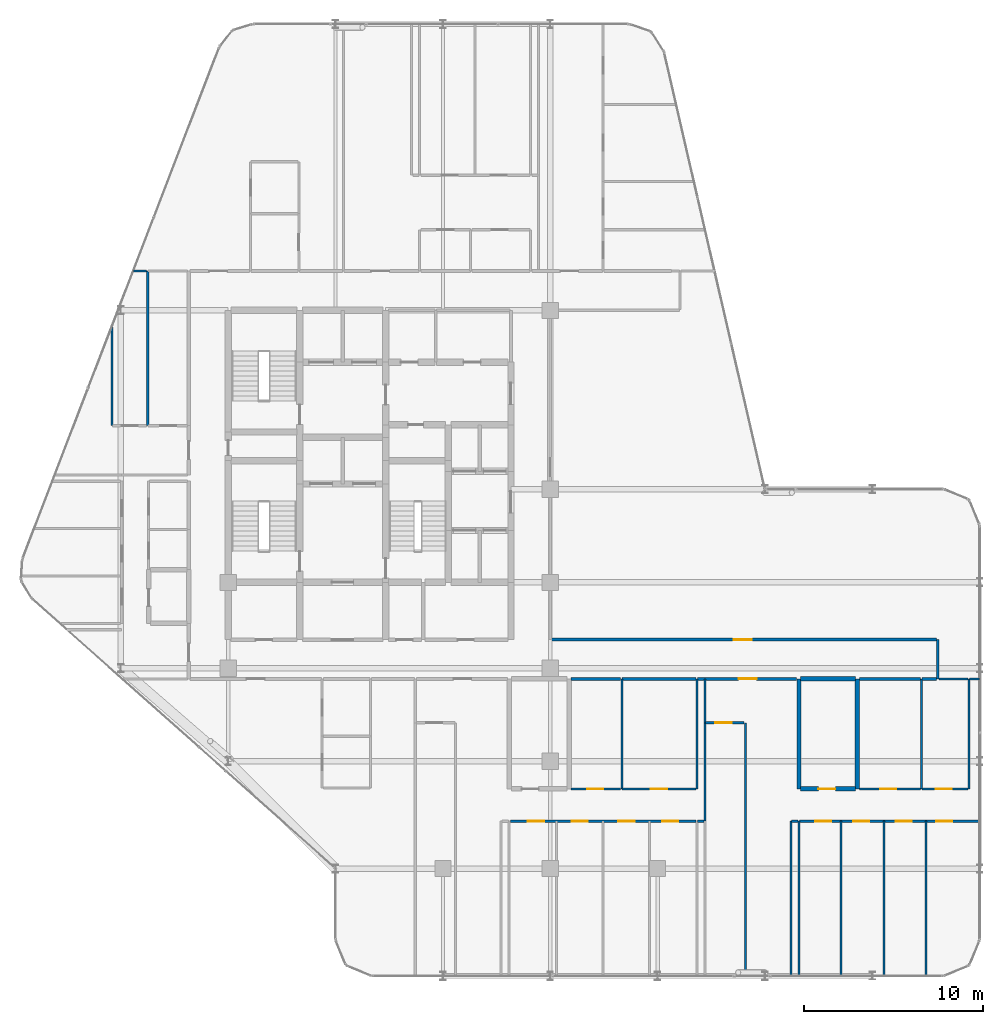
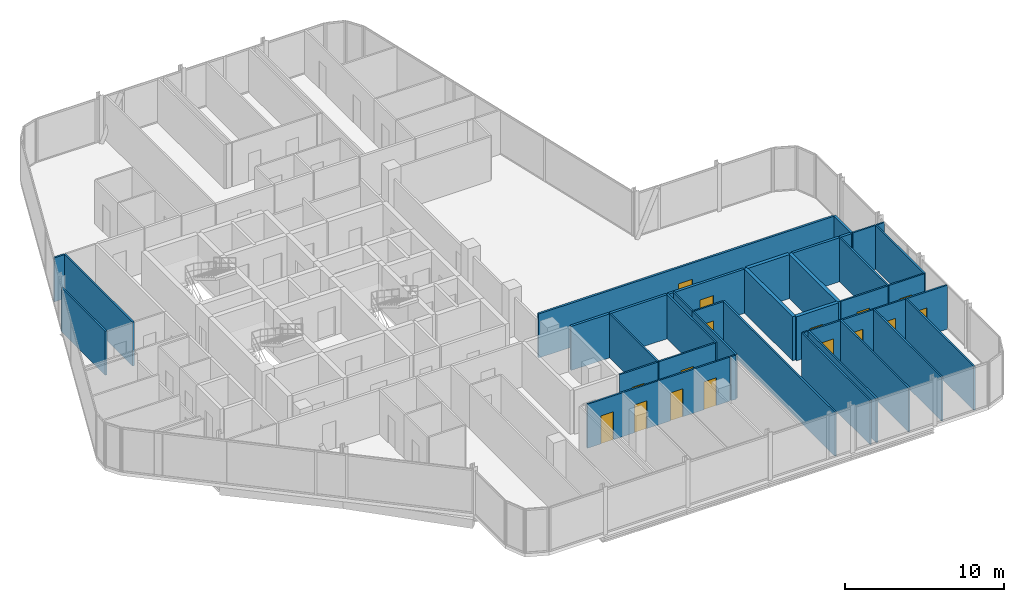
# One storey, part 26 of 29: 37 walls, 16 doors, 16 openings.
"""IFC4 building model written with IfcOpenShell, lengths in metres."""

import ifcopenshell
import ifcopenshell.guid

model = None  # the IFC model being written
_history = None  # IfcOwnerHistory: only IFC2X3 demands one
_inside = {}  # id of a spatial element -> (the spatial element, [elements in it])
_under = {}  # id of a project, library or spatial element -> (it, [spatial elements below it])
_declared = {}  # id of a project -> (the project, [libraries it declares])
_typed = {}  # id of a type object -> (the type object, [elements of that type])
_made_of = {}  # id of a material, layer set ... -> (it, [elements and type objects made of it])


def new_model(schema):
    """Start an empty IFC model of exactly this schema.

    Asked for "IFC4X3", IfcOpenShell would pick the latest addendum, in which some entities
    have other attributes; the version numbers below select the first issue.
    IFC2X3 requires an IfcOwnerHistory on every rooted entity: one is made here for all.
    """
    global model, _history
    if schema == "IFC4X3":
        model = ifcopenshell.file(schema_version=(4, 3, 0, 0))
    else:
        model = ifcopenshell.file(schema=schema)
    _inside.clear()
    _under.clear()
    _declared.clear()
    _typed.clear()
    _made_of.clear()
    _history = None
    if model.schema == "IFC2X3":
        org = make("IfcOrganization", Name="unknown")
        user = make(
            "IfcPersonAndOrganization",
            ThePerson=make("IfcPerson", FamilyName="unknown"),
            TheOrganization=org,
        )
        app = make(
            "IfcApplication",
            ApplicationDeveloper=org,
            Version="unknown",
            ApplicationFullName="unknown",
            ApplicationIdentifier="unknown",
        )
        _history = make(
            "IfcOwnerHistory",
            OwningUser=user,
            OwningApplication=app,
            ChangeAction="ADDED",
            CreationDate=0,
        )
    return model


def make(cls, **values):
    """One entity of the class cls with the attributes given. An attribute that is None is left unset."""
    return model.create_entity(
        cls, **{name: value for name, value in values.items() if value is not None}
    )


def rooted(cls, **values):
    """An entity with a GlobalId (a new one), such as an element, a storey or a relation."""
    return make(cls, GlobalId=ifcopenshell.guid.new(), OwnerHistory=_history, **values)


def si_unit(unit_type, name, prefix=None):
    """IfcSIUnit, for example si_unit("LENGTHUNIT", "METRE", prefix="MILLI")."""
    return make("IfcSIUnit", UnitType=unit_type, Prefix=prefix, Name=name)


def assignment(units):
    """IfcUnitAssignment: the units of a project."""
    return None if units is None else make("IfcUnitAssignment", Units=units)


def point(xyz):
    """IfcCartesianPoint."""
    return None if xyz is None else make("IfcCartesianPoint", Coordinates=xyz)


def direction(xyz):
    """IfcDirection."""
    return None if xyz is None else make("IfcDirection", DirectionRatios=xyz)


def frame(location, z_axis=None, x_axis=None):
    """IfcAxis2Placement3D, a coordinate frame: its origin and axes. An axis left out is left unset."""
    return make(
        "IfcAxis2Placement3D",
        Location=point(location),
        Axis=direction(z_axis),
        RefDirection=direction(x_axis),
    )


def frame_2d(location, x_axis=None):
    """IfcAxis2Placement2D, a coordinate frame in the plane: its origin and x axis."""
    return make(
        "IfcAxis2Placement2D", Location=point(location), RefDirection=direction(x_axis)
    )


def origin():
    """The frame at (0, 0, 0) with its axes left unset."""
    return frame((0.0, 0.0, 0.0))


def place(relative_to, where):
    """IfcLocalPlacement: puts the frame where relative to a parent placement (None: the world)."""
    return make(
        "IfcLocalPlacement", PlacementRelTo=relative_to, RelativePlacement=where
    )


def context(
    kind, dimensions, precision=None, world=None, true_north=None, identifier=None
):
    """IfcGeometricRepresentationContext, for example the 3D "Model" context."""
    return make(
        "IfcGeometricRepresentationContext",
        ContextIdentifier=identifier,
        ContextType=kind,
        CoordinateSpaceDimension=dimensions,
        Precision=precision,
        WorldCoordinateSystem=world,
        TrueNorth=true_north,
    )


def subcontext(parent, identifier, kind, view, scale=None):
    """IfcGeometricRepresentationSubContext, for example "Body" below "Model"."""
    return make(
        "IfcGeometricRepresentationSubContext",
        ContextIdentifier=identifier,
        ContextType=kind,
        ParentContext=parent,
        TargetScale=scale,
        TargetView=view,
    )


def project(units=None, contexts=None):
    """IfcProject with its units and contexts."""
    return rooted(
        "IfcProject",
        Name="project",
        RepresentationContexts=contexts,
        UnitsInContext=assignment(units),
    )


def spatial(cls, under=None, at=None, **own):
    """A site, building, storey or space (cls), placed at a placement, below another one or the project."""
    s = rooted(cls, ObjectPlacement=at, **own)
    if under is not None:
        _under.setdefault(under.id(), (under, []))[1].append(s)
    return s


def profile(cls, at=None, kind="AREA", **sizes):
    """A parametric profile (cls). Its sizes go by their IFC names, for example OverallWidth=200.0."""
    return make(cls, ProfileType=kind, Position=at, **sizes)


def rectangle(**sizes):
    """IfcRectangleProfileDef."""
    return profile("IfcRectangleProfileDef", **sizes)


def extrude(swept, where, along, depth):
    """IfcExtrudedAreaSolid: the profile swept, set in the frame where, extruded along a direction by depth."""
    return make(
        "IfcExtrudedAreaSolid",
        SweptArea=swept,
        Position=where,
        ExtrudedDirection=direction(along),
        Depth=depth,
    )


def shape(context_of_items, identifier, shape_type, items):
    """IfcShapeRepresentation: the items that make up one representation, for example the "Body"."""
    return make(
        "IfcShapeRepresentation",
        ContextOfItems=context_of_items,
        RepresentationIdentifier=identifier,
        RepresentationType=shape_type,
        Items=items,
    )


def material(Name=None, Category=None):
    """IfcMaterial."""
    return make("IfcMaterial", Name=Name, Category=Category)


def layer(
    of_material, thickness, ventilated=None, Name=None, Category=None, Priority=None
):
    """IfcMaterialLayer: one layer of a wall or slab, of a material (None: an air gap)."""
    return make(
        "IfcMaterialLayer",
        Material=of_material,
        LayerThickness=thickness,
        IsVentilated=ventilated,
        Name=Name,
        Category=Category,
        Priority=Priority,
    )


def layer_set(layers, Name=None):
    """IfcMaterialLayerSet."""
    return make("IfcMaterialLayerSet", MaterialLayers=layers, LayerSetName=Name)


def made_of(thing, what):
    """Note that an element or type object is made of a material, layer set ...; save() writes the relation."""
    if what is not None:
        _made_of.setdefault(what.id(), (what, []))[1].append(thing)
    return thing


def type_object(cls, material=None, **own):
    """A type object (cls), such as IfcWallType, which elements share."""
    return made_of(rooted(cls, **own), material)


def element(
    cls,
    number,
    at=None,
    inside=None,
    cuts=None,
    type_object=None,
    material=None,
    context=None,
    identifier="Body",
    shape_type=None,
    held_by="IfcProductDefinitionShape",
    body=None,
    shapes=None,
    **own,
):
    """One element of the class cls, such as IfcWall. Its Tag is "e" and its number.

    at: its placement. inside: the storey or other place that contains it. cuts: it is an
    opening in that element (IfcRelVoidsElement). A single representation is given by context,
    identifier, shape_type and body (its items); several are given by shapes. held_by: the class
    of the entity that holds the representations. save() writes the other relations.
    """
    e = rooted(cls, Tag="e%d" % number, ObjectPlacement=at, **own)
    if body is not None:
        shapes = [shape(context, identifier, shape_type, body)]
    if shapes is not None:
        e.Representation = make(held_by, Representations=shapes)
    if inside is not None:
        _inside.setdefault(inside.id(), (inside, []))[1].append(e)
    if cuts is not None:
        rooted(
            "IfcRelVoidsElement", RelatingBuildingElement=cuts, RelatedOpeningElement=e
        )
    if type_object is not None:
        _typed.setdefault(type_object.id(), (type_object, []))[1].append(e)
    return made_of(e, material)


def fill(opening, filler):
    """IfcRelFillsElement: the door or window that sits in an opening."""
    return rooted(
        "IfcRelFillsElement",
        RelatingOpeningElement=opening,
        RelatedBuildingElement=filler,
    )


def aggregate(whole, parts):
    """IfcRelAggregates: a whole, such as a stair, and the parts it consists of."""
    return rooted("IfcRelAggregates", RelatingObject=whole, RelatedObjects=parts)


def save(model, path):
    """Write the relations noted so far, then the file.

    IfcRelAggregates (storeys below a building ...), IfcRelContainedInSpatialStructure (elements
    in a storey), IfcRelDefinesByType, IfcRelAssociatesMaterial and IfcRelDeclares: one each for
    every whole, place, type object, material and project.
    """
    for whole, parts in _under.values():
        aggregate(whole, parts)
    for where, things in _inside.values():
        rooted(
            "IfcRelContainedInSpatialStructure",
            RelatedElements=things,
            RelatingStructure=where,
        )
    for kind, things in _typed.values():
        rooted("IfcRelDefinesByType", RelatedObjects=things, RelatingType=kind)
    for what, things in _made_of.values():
        rooted("IfcRelAssociatesMaterial", RelatedObjects=things, RelatingMaterial=what)
    for by, libraries in _declared.values():
        rooted("IfcRelDeclares", RelatingContext=by, RelatedDefinitions=libraries)
    model.write(path)


model = new_model("IFC4")

# Units and contexts
model_context = context("Model", 3, precision=1e-05, world=origin(), true_north=direction((0.0, 1.0)))
body_context = subcontext(model_context, "Body", "Model", "MODEL_VIEW")
ifc_project = project(units=[si_unit("LENGTHUNIT", "METRE"), si_unit("AREAUNIT", "SQUARE_METRE"), si_unit("VOLUMEUNIT", "CUBIC_METRE"), si_unit("PLANEANGLEUNIT", "RADIAN"), si_unit("MASSUNIT", "GRAM", prefix="KILO")], contexts=[model_context])

# Site, building, storey
site_placement = place(None, origin())
site = spatial("IfcSite", under=ifc_project, at=site_placement, CompositionType="ELEMENT")
building_placement = place(site_placement, origin())
building = spatial("IfcBuilding", under=site, at=building_placement, Name="Keshet Zoharim Tower", CompositionType="ELEMENT")
storey_placement = place(building_placement, frame((0.0, 0.0, 169.10009765625)))
storey = spatial("IfcBuildingStorey", under=building, at=storey_placement, Name="L41", CompositionType="ELEMENT", Elevation=169.10009765625)

# Wall
ifc_material_1 = material(Name="Gypsum Plasterboard", Category="gypsum")
ifc_layer_1 = layer(ifc_material_1, 0.14990234375)
ifc_layer_set_1 = layer_set([ifc_layer_1], Name="Gypsum Plasterboard")
wall_type_1 = type_object("IfcWallType", Name="WL-CLIN-150", PredefinedType="STANDARD", material=ifc_layer_set_1)
wall_1_placement = place(storey_placement, frame((54.64990234375, 17.31005859375, 0.0), z_axis=(0.0, 0.0, 1.0), x_axis=(0.0, 1.0, 0.0)))
element("IfcWall", 1, at=wall_1_placement, inside=storey, type_object=wall_type_1, Name="L41 Interior Wall 092", PredefinedType="STANDARD", context=body_context, shape_type="SweptSolid", body=[
    extrude(rectangle(XDim=2.18994140625, YDim=0.14990234375, at=frame_2d((1.094970703125, 0.0))), origin(), (0.0, 0.0, 1.0), 3.389892578125),
])

# Wall, opening, door
wall_2_placement = place(storey_placement, frame((33.070068359375, 19.5, 0.0), z_axis=(0.0, 0.0, 1.0), x_axis=(1.0, 0.0, 0.0)))
wall_2 = element("IfcWall", 2, at=wall_2_placement, inside=storey, type_object=wall_type_1, Name="L41 Interior Wall 127", PredefinedType="STANDARD", context=body_context, shape_type="SweptSolid", body=[
    extrude(rectangle(XDim=21.510009765625, YDim=0.14990234375, at=frame_2d((10.7548828125, 0.0))), origin(), (0.0, 0.0, 1.0), 3.389892578125),
])
opening_1_placement = place(wall_2_placement, frame((10.18505859375, 0.0, 0.0)))
opening_1 = element("IfcOpeningElement", 3, at=opening_1_placement, cuts=wall_2, Name="Opening D-F310", PredefinedType="OPENING", context=body_context, shape_type="SweptSolid", body=[
    extrude(rectangle(XDim=1.0, YDim=2.14990234375, at=frame_2d((0.5, 1.074951171875))), frame((0.0, 0.0849609375, 0.0), z_axis=(0.0, -1.0, 0.0), x_axis=(1.0, 0.0, 0.0)), (0.0, 0.0, 1.0), 0.169921875),
])
ifc_material_2 = material(Name="Hardwood Timber", Category="wood")
door_type_1 = type_object("IfcDoorType", Name="DR-FD30-100", OperationType="NOTDEFINED", PredefinedType="DOOR", material=ifc_material_2)
door_1_placement = place(opening_1_placement, origin())
door_1 = element("IfcDoor", 4, at=door_1_placement, inside=storey, type_object=door_type_1, Name="L41 South East Residents Services Suite Door 1", OperationType="SINGLE_SWING_LEFT", OverallHeight=2.14990234375, OverallWidth=1.0, PredefinedType="DOOR", context=body_context, shape_type="SweptSolid", body=[
    extrude(rectangle(XDim=1.0, YDim=2.14990234375, at=frame_2d((0.5, 1.074951171875))), frame((0.0, 0.02490234375, 0.0), z_axis=(0.0, -1.0, 0.0), x_axis=(1.0, 0.0, 0.0)), (0.0, 0.0, 1.0), 0.050048828125),
])
fill(opening_1, door_1)

# Walls
ifc_layer_2 = layer(ifc_material_1, 0.179931640625)
ifc_layer_set_2 = layer_set([ifc_layer_2], Name="Gypsum Plasterboard")
wall_type_2 = type_object("IfcWallType", Name="WL-CORR-180", PredefinedType="STANDARD", material=ifc_layer_set_2)
wall_3_placement = place(storey_placement, frame((34.156005859375, 17.300048828125, 0.0), z_axis=(0.0, 0.0, 1.0), x_axis=(1.0, 0.0, 0.0)))
element("IfcWall", 5, at=wall_3_placement, inside=storey, type_object=wall_type_2, Name="L41 Interior Wall 115", PredefinedType="STANDARD", context=body_context, shape_type="SweptSolid", body=[
    extrude(rectangle(XDim=2.77392578125, YDim=0.179931640625, at=frame_2d((1.386962890625, 0.0))), origin(), (0.0, 0.0, 1.0), 3.389892578125),
])
wall_4_placement = place(storey_placement, frame((37.02001953125, 17.300048828125, 0.0), z_axis=(0.0, 0.0, 1.0), x_axis=(1.0, 0.0, 0.0)))
element("IfcWall", 6, at=wall_4_placement, inside=storey, type_object=wall_type_2, Name="L41 Interior Wall 116", PredefinedType="STANDARD", context=body_context, shape_type="SweptSolid", body=[
    extrude(rectangle(XDim=4.114990234375, YDim=0.179931640625, at=frame_2d((2.0576171875, 0.0))), origin(), (0.0, 0.0, 1.0), 3.389892578125),
])

# Wall, opening, door
wall_5_placement = place(storey_placement, frame((41.22509765625, 17.300048828125, 0.0), z_axis=(0.0, 0.0, 1.0), x_axis=(1.0, 0.0, 0.0)))
wall_5 = element("IfcWall", 7, at=wall_5_placement, inside=storey, type_object=wall_type_2, Name="L41 Interior Wall 117", PredefinedType="STANDARD", context=body_context, shape_type="SweptSolid", body=[
    extrude(rectangle(XDim=5.544921875, YDim=0.179931640625, at=frame_2d((2.7724609375, 0.0))), origin(), (0.0, 0.0, 1.0), 3.389892578125),
])
opening_2_placement = place(wall_5_placement, frame((2.304931640625, 0.0, 0.0)))
opening_2 = element("IfcOpeningElement", 8, at=opening_2_placement, cuts=wall_5, Name="Opening D-F310", PredefinedType="OPENING", context=body_context, shape_type="SweptSolid", body=[
    extrude(rectangle(XDim=1.0, YDim=2.14990234375, at=frame_2d((0.5, 1.074951171875))), frame((0.0, 0.10009765625, 0.0), z_axis=(0.0, -1.0, 0.0), x_axis=(1.0, 0.0, 0.0)), (0.0, 0.0, 1.0), 0.199951171875),
])
door_2_placement = place(opening_2_placement, origin())
door_2 = element("IfcDoor", 9, at=door_2_placement, inside=storey, type_object=door_type_1, Name="Apartment 4103 Entrance Door", OperationType="SINGLE_SWING_RIGHT", OverallHeight=2.14990234375, OverallWidth=1.0, PredefinedType="DOOR", context=body_context, shape_type="SweptSolid", body=[
    extrude(rectangle(XDim=1.0, YDim=2.14990234375, at=frame_2d((0.5, 1.074951171875))), frame((0.0, 0.02490234375, 0.0), z_axis=(0.0, -1.0, 0.0), x_axis=(1.0, 0.0, 0.0)), (0.0, 0.0, 1.0), 0.050048828125),
])
fill(opening_2, door_2)

# Walls
wall_6_placement = place(storey_placement, frame((50.280029296875, 17.300048828125, 0.0), z_axis=(0.0, 0.0, 1.0), x_axis=(1.0, 0.0, 0.0)))
element("IfcWall", 10, at=wall_6_placement, inside=storey, type_object=wall_type_2, Name="L41 Interior Wall 119", PredefinedType="STANDARD", context=body_context, shape_type="SweptSolid", body=[
    extrude(rectangle(XDim=3.40185546875, YDim=0.179931640625, at=frame_2d((1.700927734375, 0.0))), origin(), (0.0, 0.0, 1.0), 3.389892578125),
])
wall_7_placement = place(storey_placement, frame((53.77197265625, 17.300048828125, 0.0), z_axis=(0.0, 0.0, 1.0), x_axis=(1.0, 0.0, 0.0)))
element("IfcWall", 11, at=wall_7_placement, inside=storey, type_object=wall_type_2, Name="L41 Interior Wall 120", PredefinedType="STANDARD", context=body_context, shape_type="SweptSolid", body=[
    extrude(rectangle(XDim=0.80810546875, YDim=0.179931640625, at=frame_2d((0.404052734375, 0.0))), origin(), (0.0, 0.0, 1.0), 3.389892578125),
])
ifc_material_3 = material(Name="Concrete C50/60", Category="concrete")
ifc_layer_3 = layer(ifc_material_3, 0.25)
ifc_layer_set_3 = layer_set([ifc_layer_3], Name="Concrete C50/60")
wall_type_3 = type_object("IfcWallType", Name="WL-MAMAD-250", PredefinedType="STANDARD", material=ifc_layer_set_3)
for number, where, z_axis, x_axis, name in (
    (12, (46.89990234375, 11.14990234375, 0.0), (0.0, 0.0, 1.0), (0.0, 1.0, 0.0), "L41 Interior Wall 086"),
    (13, (50.14990234375, 11.14990234375, 0.0), (0.0, 0.0, 1.0), (0.0, 1.0, 0.0), "L41 Interior Wall 088"),
):
    element("IfcWall", number, at=place(storey_placement, frame(where, z_axis=z_axis, x_axis=x_axis)), inside=storey, type_object=wall_type_3, Name=name, PredefinedType="STANDARD", context=body_context, shape_type="SweptSolid", body=[
        extrude(rectangle(XDim=6.150146484375, YDim=0.25, at=frame_2d((3.0751953125, 0.0))), origin(), (0.0, 0.0, 1.0), 3.389892578125),
    ])

# Wall, opening, door
wall_8_placement = place(storey_placement, frame((46.989990234375, 11.14990234375, 0.0), z_axis=(0.0, 0.0, 1.0), x_axis=(1.0, 0.0, 0.0)))
wall_8 = element("IfcWall", 14, at=wall_8_placement, inside=storey, type_object=wall_type_3, Name="L41 Interior Wall 102", PredefinedType="STANDARD", context=body_context, shape_type="SweptSolid", body=[
    extrude(rectangle(XDim=3.070068359375, YDim=0.25, at=frame_2d((1.53515625, 0.0))), origin(), (0.0, 0.0, 1.0), 3.389892578125),
])
opening_3_placement = place(wall_8_placement, frame((0.989013671875, 0.0, 0.0)))
opening_3 = element("IfcOpeningElement", 15, at=opening_3_placement, cuts=wall_8, Name="Opening D-F695", PredefinedType="OPENING", context=body_context, shape_type="SweptSolid", body=[
    extrude(rectangle(XDim=0.949951171875, YDim=2.14990234375, at=frame_2d((0.47509765625, 1.074951171875))), frame((0.0, 0.135009765625, 0.0), z_axis=(0.0, -1.0, 0.0), x_axis=(1.0, 0.0, 0.0)), (0.0, 0.0, 1.0), 0.27001953125),
])
door_type_2 = type_object("IfcDoorType", Name="DR-FD60-095", OperationType="NOTDEFINED", PredefinedType="DOOR", material=ifc_material_2)
door_3_placement = place(opening_3_placement, origin())
door_3 = element("IfcDoor", 16, at=door_3_placement, inside=storey, type_object=door_type_2, Name="Apartment 4103 Study and Shelter Room Door", OperationType="SINGLE_SWING_LEFT", OverallHeight=2.14990234375, OverallWidth=0.949951171875, PredefinedType="DOOR", context=body_context, shape_type="SweptSolid", body=[
    extrude(rectangle(XDim=0.949951171875, YDim=2.14990234375, at=frame_2d((0.47509765625, 1.074951171875))), frame((0.0, 0.02490234375, 0.0), z_axis=(0.0, -1.0, 0.0), x_axis=(1.0, 0.0, 0.0)), (0.0, 0.0, 1.0), 0.050048828125),
])
fill(opening_3, door_3)

# Walls
wall_9_placement = place(storey_placement, frame((46.989990234375, 17.300048828125, 0.0), z_axis=(0.0, 0.0, 1.0), x_axis=(1.0, 0.0, 0.0)))
element("IfcWall", 17, at=wall_9_placement, inside=storey, type_object=wall_type_3, Name="L41 Interior Wall 118", PredefinedType="STANDARD", context=body_context, shape_type="SweptSolid", body=[
    extrude(rectangle(XDim=3.070068359375, YDim=0.25, at=frame_2d((1.53515625, 0.0))), origin(), (0.0, 0.0, 1.0), 3.389892578125),
])
ifc_layer_4 = layer(ifc_material_1, 0.1201171875)
ifc_layer_set_4 = layer_set([ifc_layer_4], Name="Gypsum Plasterboard")
wall_type_4 = type_object("IfcWallType", Name="WL-PART-120", PredefinedType="PARTITIONING", material=ifc_layer_set_4)
wall_10_placement = place(storey_placement, frame((8.5, 31.449951171875, 0.0), z_axis=(0.0, 0.0, 1.0), x_axis=(0.0, 1.0, 0.0)))
element("IfcWall", 18, at=wall_10_placement, inside=storey, type_object=wall_type_4, Name="L41 Interior Wall 001", PredefinedType="PARTITIONING", context=body_context, shape_type="SweptSolid", body=[
    extrude(rectangle(XDim=5.5400390625, YDim=0.1201171875, at=frame_2d((2.77001953125, 0.0))), origin(), (0.0, 0.0, 1.0), 3.389892578125),
])
wall_11_placement = place(storey_placement, frame((41.199951171875, 11.14990234375, 0.0), z_axis=(0.0, 0.0, 1.0), x_axis=(0.0, 1.0, 0.0)))
element("IfcWall", 19, at=wall_11_placement, inside=storey, type_object=wall_type_4, Name="L41 Interior Wall 079", PredefinedType="PARTITIONING", context=body_context, shape_type="SweptSolid", body=[
    extrude(rectangle(XDim=6.150146484375, YDim=0.1201171875, at=frame_2d((3.0751953125, 0.0))), origin(), (0.0, 0.0, 1.0), 3.389892578125),
])
wall_12_placement = place(storey_placement, frame((41.64990234375, 9.35009765625, 0.0), z_axis=(0.0, 0.0, 1.0), x_axis=(0.0, 1.0, 0.0)))
element("IfcWall", 20, at=wall_12_placement, inside=storey, type_object=wall_type_4, Name="L41 Interior Wall 081", PredefinedType="PARTITIONING", context=body_context, shape_type="SweptSolid", body=[
    extrude(rectangle(XDim=5.5, YDim=0.1201171875, at=frame_2d((2.75, 0.0))), origin(), (0.0, 0.0, 1.0), 3.389892578125),
])
wall_13_placement = place(storey_placement, frame((41.64990234375, 14.85009765625, 0.0), z_axis=(0.0, 0.0, 1.0), x_axis=(0.0, 1.0, 0.0)))
element("IfcWall", 21, at=wall_13_placement, inside=storey, type_object=wall_type_4, Name="L41 Interior Wall 082", PredefinedType="PARTITIONING", context=body_context, shape_type="SweptSolid", body=[
    extrude(rectangle(XDim=2.449951171875, YDim=0.1201171875, at=frame_2d((1.22509765625, 0.0))), origin(), (0.0, 0.0, 1.0), 3.389892578125),
])
wall_14_placement = place(storey_placement, frame((43.89990234375, 0.7099609375, 0.0), z_axis=(0.0, 0.0, 1.0), x_axis=(0.0, 1.0, 0.0)))
element("IfcWall", 22, at=wall_14_placement, inside=storey, type_object=wall_type_4, Name="L41 Interior Wall 083", PredefinedType="PARTITIONING", context=body_context, shape_type="SweptSolid", body=[
    extrude(rectangle(XDim=14.14013671875, YDim=0.1201171875, at=frame_2d((7.070068359375, 0.0))), origin(), (0.0, 0.0, 1.0), 3.389892578125),
])
for number, where, z_axis, x_axis, name in (
    (23, (46.449951171875, 0.7099609375, 0.0), (0.0, 0.0, 1.0), (0.0, 1.0, 0.0), "L41 Interior Wall 084"),
    (24, (46.89990234375, 0.7099609375, 0.0), (0.0, 0.0, 1.0), (0.0, 1.0, 0.0), "L41 Interior Wall 085"),
    (25, (49.25, 0.7099609375, 0.0), (0.0, 0.0, 1.0), (0.0, 1.0, 0.0), "L41 Interior Wall 087"),
    (26, (51.64990234375, 0.7099609375, 0.0), (0.0, 0.0, 1.0), (0.0, 1.0, 0.0), "L41 Interior Wall 089"),
    (27, (54.0, 0.7099609375, 0.0), (0.0, 0.0, 1.0), (0.0, 1.0, 0.0), "L41 Interior Wall 091"),
):
    element("IfcWall", number, at=place(storey_placement, frame(where, z_axis=z_axis, x_axis=x_axis)), inside=storey, type_object=wall_type_4, Name=name, PredefinedType="PARTITIONING", context=body_context, shape_type="SweptSolid", body=[
        extrude(rectangle(XDim=8.64013671875, YDim=0.1201171875, at=frame_2d((4.320068359375, 0.0))), origin(), (0.0, 0.0, 1.0), 3.389892578125),
    ])

# Wall, openings, doors
wall_15_placement = place(storey_placement, frame((30.764892578125, 9.35009765625, 0.0), z_axis=(0.0, 0.0, 1.0), x_axis=(1.0, 0.0, 0.0)))
wall_15 = element("IfcWall", 28, at=wall_15_placement, inside=storey, type_object=wall_type_4, Name="L41 Interior Wall 095", PredefinedType="PARTITIONING", context=body_context, shape_type="SweptSolid", body=[
    extrude(rectangle(XDim=10.3701171875, YDim=0.1201171875, at=frame_2d((5.18505859375, 0.0))), origin(), (0.0, 0.0, 1.0), 3.389892578125),
])
opening_4_placement = place(wall_15_placement, frame((0.988037109375, 0.0, 0.0)))
opening_4 = element("IfcOpeningElement", 29, at=opening_4_placement, cuts=wall_15, Name="Opening D-IN90", PredefinedType="OPENING", context=body_context, shape_type="SweptSolid", body=[
    extrude(rectangle(XDim=0.89990234375, YDim=2.14990234375, at=frame_2d((0.449951171875, 1.074951171875))), frame((0.0, 0.070068359375, 0.0), z_axis=(0.0, -1.0, 0.0), x_axis=(1.0, 0.0, 0.0)), (0.0, 0.0, 1.0), 0.14013671875),
])
opening_5_placement = place(wall_15_placement, frame((3.427978515625, 0.0, 0.0)))
opening_5 = element("IfcOpeningElement", 30, at=opening_5_placement, cuts=wall_15, Name="Opening D-IN90", PredefinedType="OPENING", context=body_context, shape_type="SweptSolid", body=[
    extrude(rectangle(XDim=0.89990234375, YDim=2.14990234375, at=frame_2d((0.449951171875, 1.074951171875))), frame((0.0, 0.070068359375, 0.0), z_axis=(0.0, -1.0, 0.0), x_axis=(1.0, 0.0, 0.0)), (0.0, 0.0, 1.0), 0.14013671875),
])
opening_6_placement = place(wall_15_placement, frame((6.04296875, 0.0, 0.0)))
opening_6 = element("IfcOpeningElement", 31, at=opening_6_placement, cuts=wall_15, Name="Opening D-IN90", PredefinedType="OPENING", context=body_context, shape_type="SweptSolid", body=[
    extrude(rectangle(XDim=0.89990234375, YDim=2.14990234375, at=frame_2d((0.449951171875, 1.074951171875))), frame((0.0, 0.070068359375, 0.0), z_axis=(0.0, -1.0, 0.0), x_axis=(1.0, 0.0, 0.0)), (0.0, 0.0, 1.0), 0.14013671875),
])
opening_7_placement = place(wall_15_placement, frame((8.48193359375, 0.0, 0.0)))
opening_7 = element("IfcOpeningElement", 32, at=opening_7_placement, cuts=wall_15, Name="Opening D-IN90", PredefinedType="OPENING", context=body_context, shape_type="SweptSolid", body=[
    extrude(rectangle(XDim=0.89990234375, YDim=2.14990234375, at=frame_2d((0.449951171875, 1.074951171875))), frame((0.0, 0.070068359375, 0.0), z_axis=(0.0, -1.0, 0.0), x_axis=(1.0, 0.0, 0.0)), (0.0, 0.0, 1.0), 0.14013671875),
])
door_type_3 = type_object("IfcDoorType", Name="DR-INT-090", OperationType="NOTDEFINED", PredefinedType="DOOR", material=ifc_material_2)
door_4_placement = place(opening_4_placement, origin())
door_4 = element("IfcDoor", 33, at=door_4_placement, inside=storey, type_object=door_type_3, Name="Apartment 4102 Bedroom 1 Door", OperationType="SINGLE_SWING_RIGHT", OverallHeight=2.14990234375, OverallWidth=0.89990234375, PredefinedType="DOOR", context=body_context, shape_type="SweptSolid", body=[
    extrude(rectangle(XDim=0.89990234375, YDim=2.14990234375, at=frame_2d((0.449951171875, 1.074951171875))), frame((0.0, 0.02490234375, 0.0), z_axis=(0.0, -1.0, 0.0), x_axis=(1.0, 0.0, 0.0)), (0.0, 0.0, 1.0), 0.050048828125),
])
fill(opening_4, door_4)
door_5_placement = place(opening_5_placement, origin())
door_5 = element("IfcDoor", 34, at=door_5_placement, inside=storey, type_object=door_type_3, Name="Apartment 4102 Bedroom 2 Door", OperationType="SINGLE_SWING_LEFT", OverallHeight=2.14990234375, OverallWidth=0.89990234375, PredefinedType="DOOR", context=body_context, shape_type="SweptSolid", body=[
    extrude(rectangle(XDim=0.89990234375, YDim=2.14990234375, at=frame_2d((0.449951171875, 1.074951171875))), frame((0.0, 0.02490234375, 0.0), z_axis=(0.0, -1.0, 0.0), x_axis=(1.0, 0.0, 0.0)), (0.0, 0.0, 1.0), 0.050048828125),
])
fill(opening_5, door_5)
door_6_placement = place(opening_6_placement, origin())
door_6 = element("IfcDoor", 35, at=door_6_placement, inside=storey, type_object=door_type_3, Name="Apartment 4102 Bedroom 3 Door", OperationType="SINGLE_SWING_RIGHT", OverallHeight=2.14990234375, OverallWidth=0.89990234375, PredefinedType="DOOR", context=body_context, shape_type="SweptSolid", body=[
    extrude(rectangle(XDim=0.89990234375, YDim=2.14990234375, at=frame_2d((0.449951171875, 1.074951171875))), frame((0.0, 0.02490234375, 0.0), z_axis=(0.0, -1.0, 0.0), x_axis=(1.0, 0.0, 0.0)), (0.0, 0.0, 1.0), 0.050048828125),
])
fill(opening_6, door_6)
door_7_placement = place(opening_7_placement, origin())
door_7 = element("IfcDoor", 36, at=door_7_placement, inside=storey, type_object=door_type_3, Name="Apartment 4102 Bedroom 4 Door", OperationType="SINGLE_SWING_LEFT", OverallHeight=2.14990234375, OverallWidth=0.89990234375, PredefinedType="DOOR", context=body_context, shape_type="SweptSolid", body=[
    extrude(rectangle(XDim=0.89990234375, YDim=2.14990234375, at=frame_2d((0.449951171875, 1.074951171875))), frame((0.0, 0.02490234375, 0.0), z_axis=(0.0, -1.0, 0.0), x_axis=(1.0, 0.0, 0.0)), (0.0, 0.0, 1.0), 0.050048828125),
])
fill(opening_7, door_7)

# Walls
for number, where, z_axis, x_axis, name in (
    (37, (41.22509765625, 9.35009765625, 0.0), (0.0, 0.0, 1.0), (1.0, 0.0, 0.0), "L41 Interior Wall 096"),
    (38, (46.47509765625, 9.35009765625, 0.0), (0.0, 0.0, 1.0), (1.0, 0.0, 0.0), "L41 Interior Wall 097"),
):
    element("IfcWall", number, at=place(storey_placement, frame(where, z_axis=z_axis, x_axis=x_axis)), inside=storey, type_object=wall_type_4, Name=name, PredefinedType="PARTITIONING", context=body_context, shape_type="SweptSolid", body=[
        extrude(rectangle(XDim=0.35986328125, YDim=0.1201171875, at=frame_2d((0.179931640625, 0.0))), origin(), (0.0, 0.0, 1.0), 3.389892578125),
    ])

# Wall, openings, doors
wall_16_placement = place(storey_placement, frame((46.925048828125, 9.35009765625, 0.0), z_axis=(0.0, 0.0, 1.0), x_axis=(1.0, 0.0, 0.0)))
wall_16 = element("IfcWall", 39, at=wall_16_placement, inside=storey, type_object=wall_type_4, Name="L41 Interior Wall 098", PredefinedType="PARTITIONING", context=body_context, shape_type="SweptSolid", body=[
    extrude(rectangle(XDim=10.06494140625, YDim=0.1201171875, at=frame_2d((5.032470703125, 0.0))), origin(), (0.0, 0.0, 1.0), 3.389892578125),
])
opening_8_placement = place(wall_16_placement, frame((0.868896484375, 0.0, 0.0)))
opening_8 = element("IfcOpeningElement", 40, at=opening_8_placement, cuts=wall_16, Name="Opening D-IN90", PredefinedType="OPENING", context=body_context, shape_type="SweptSolid", body=[
    extrude(rectangle(XDim=0.89990234375, YDim=2.14990234375, at=frame_2d((0.449951171875, 1.074951171875))), frame((0.0, 0.070068359375, 0.0), z_axis=(0.0, -1.0, 0.0), x_axis=(1.0, 0.0, 0.0)), (0.0, 0.0, 1.0), 0.14013671875),
])
opening_9_placement = place(wall_16_placement, frame((3.0009765625, 0.0, 0.0)))
opening_9 = element("IfcOpeningElement", 41, at=opening_9_placement, cuts=wall_16, Name="Opening D-IN90", PredefinedType="OPENING", context=body_context, shape_type="SweptSolid", body=[
    extrude(rectangle(XDim=0.89990234375, YDim=2.14990234375, at=frame_2d((0.449951171875, 1.074951171875))), frame((0.0, 0.070068359375, 0.0), z_axis=(0.0, -1.0, 0.0), x_axis=(1.0, 0.0, 0.0)), (0.0, 0.0, 1.0), 0.14013671875),
])
opening_10_placement = place(wall_16_placement, frame((5.3779296875, 0.0, 0.0)))
opening_10 = element("IfcOpeningElement", 42, at=opening_10_placement, cuts=wall_16, Name="Opening D-IN90", PredefinedType="OPENING", context=body_context, shape_type="SweptSolid", body=[
    extrude(rectangle(XDim=0.89990234375, YDim=2.14990234375, at=frame_2d((0.449951171875, 1.074951171875))), frame((0.0, 0.070068359375, 0.0), z_axis=(0.0, -1.0, 0.0), x_axis=(1.0, 0.0, 0.0)), (0.0, 0.0, 1.0), 0.14013671875),
])
opening_11_placement = place(wall_16_placement, frame((7.65087890625, 0.0, 0.0)))
opening_11 = element("IfcOpeningElement", 43, at=opening_11_placement, cuts=wall_16, Name="Opening D-IN90", PredefinedType="OPENING", context=body_context, shape_type="SweptSolid", body=[
    extrude(rectangle(XDim=0.89990234375, YDim=2.14990234375, at=frame_2d((0.449951171875, 1.074951171875))), frame((0.0, 0.070068359375, 0.0), z_axis=(0.0, -1.0, 0.0), x_axis=(1.0, 0.0, 0.0)), (0.0, 0.0, 1.0), 0.14013671875),
])
door_8_placement = place(opening_8_placement, origin())
door_8 = element("IfcDoor", 44, at=door_8_placement, inside=storey, type_object=door_type_3, Name="Apartment 4103 Bedroom 1 Door", OperationType="SINGLE_SWING_RIGHT", OverallHeight=2.14990234375, OverallWidth=0.89990234375, PredefinedType="DOOR", context=body_context, shape_type="SweptSolid", body=[
    extrude(rectangle(XDim=0.89990234375, YDim=2.14990234375, at=frame_2d((0.449951171875, 1.074951171875))), frame((0.0, 0.02490234375, 0.0), z_axis=(0.0, -1.0, 0.0), x_axis=(1.0, 0.0, 0.0)), (0.0, 0.0, 1.0), 0.050048828125),
])
fill(opening_8, door_8)
door_9_placement = place(opening_9_placement, origin())
door_9 = element("IfcDoor", 45, at=door_9_placement, inside=storey, type_object=door_type_3, Name="Apartment 4103 Bedroom 2 Door", OperationType="SINGLE_SWING_LEFT", OverallHeight=2.14990234375, OverallWidth=0.89990234375, PredefinedType="DOOR", context=body_context, shape_type="SweptSolid", body=[
    extrude(rectangle(XDim=0.89990234375, YDim=2.14990234375, at=frame_2d((0.449951171875, 1.074951171875))), frame((0.0, 0.02490234375, 0.0), z_axis=(0.0, -1.0, 0.0), x_axis=(1.0, 0.0, 0.0)), (0.0, 0.0, 1.0), 0.050048828125),
])
fill(opening_9, door_9)
door_10_placement = place(opening_10_placement, origin())
door_10 = element("IfcDoor", 46, at=door_10_placement, inside=storey, type_object=door_type_3, Name="Apartment 4103 Bedroom 3 Door", OperationType="SINGLE_SWING_RIGHT", OverallHeight=2.14990234375, OverallWidth=0.89990234375, PredefinedType="DOOR", context=body_context, shape_type="SweptSolid", body=[
    extrude(rectangle(XDim=0.89990234375, YDim=2.14990234375, at=frame_2d((0.449951171875, 1.074951171875))), frame((0.0, 0.02490234375, 0.0), z_axis=(0.0, -1.0, 0.0), x_axis=(1.0, 0.0, 0.0)), (0.0, 0.0, 1.0), 0.050048828125),
])
fill(opening_10, door_10)
door_11_placement = place(opening_11_placement, origin())
door_11 = element("IfcDoor", 47, at=door_11_placement, inside=storey, type_object=door_type_3, Name="Apartment 4103 Bedroom 4 Door", OperationType="SINGLE_SWING_LEFT", OverallHeight=2.14990234375, OverallWidth=0.89990234375, PredefinedType="DOOR", context=body_context, shape_type="SweptSolid", body=[
    extrude(rectangle(XDim=0.89990234375, YDim=2.14990234375, at=frame_2d((0.449951171875, 1.074951171875))), frame((0.0, 0.02490234375, 0.0), z_axis=(0.0, -1.0, 0.0), x_axis=(1.0, 0.0, 0.0)), (0.0, 0.0, 1.0), 0.050048828125),
])
fill(opening_11, door_11)

# Wall, opening, door
wall_17_placement = place(storey_placement, frame((37.02001953125, 11.14990234375, 0.0), z_axis=(0.0, 0.0, 1.0), x_axis=(1.0, 0.0, 0.0)))
wall_17 = element("IfcWall", 48, at=wall_17_placement, inside=storey, type_object=wall_type_4, Name="L41 Interior Wall 101", PredefinedType="PARTITIONING", context=body_context, shape_type="SweptSolid", body=[
    extrude(rectangle(XDim=4.114990234375, YDim=0.1201171875, at=frame_2d((2.0576171875, 0.0))), origin(), (0.0, 0.0, 1.0), 3.389892578125),
])
opening_12_placement = place(wall_17_placement, frame((1.60791015625, 0.0, 0.0)))
opening_12 = element("IfcOpeningElement", 49, at=opening_12_placement, cuts=wall_17, Name="Opening D-IN90", PredefinedType="OPENING", context=body_context, shape_type="SweptSolid", body=[
    extrude(rectangle(XDim=0.89990234375, YDim=2.14990234375, at=frame_2d((0.449951171875, 1.074951171875))), frame((0.0, 0.070068359375, 0.0), z_axis=(0.0, -1.0, 0.0), x_axis=(1.0, 0.0, 0.0)), (0.0, 0.0, 1.0), 0.14013671875),
])
door_12_placement = place(opening_12_placement, origin())
door_12 = element("IfcDoor", 50, at=door_12_placement, inside=storey, type_object=door_type_3, Name="Apartment 4102 Kitchen Door", OperationType="SINGLE_SWING_RIGHT", OverallHeight=2.14990234375, OverallWidth=0.89990234375, PredefinedType="DOOR", context=body_context, shape_type="SweptSolid", body=[
    extrude(rectangle(XDim=0.89990234375, YDim=2.14990234375, at=frame_2d((0.449951171875, 1.074951171875))), frame((0.0, 0.02490234375, 0.0), z_axis=(0.0, -1.0, 0.0), x_axis=(1.0, 0.0, 0.0)), (0.0, 0.0, 1.0), 0.050048828125),
])
fill(opening_12, door_12)

wall_18_placement = place(storey_placement, frame((50.280029296875, 11.14990234375, 0.0), z_axis=(0.0, 0.0, 1.0), x_axis=(1.0, 0.0, 0.0)))
wall_18 = element("IfcWall", 51, at=wall_18_placement, inside=storey, type_object=wall_type_4, Name="L41 Interior Wall 103", PredefinedType="PARTITIONING", context=body_context, shape_type="SweptSolid", body=[
    extrude(rectangle(XDim=3.40185546875, YDim=0.1201171875, at=frame_2d((1.700927734375, 0.0))), origin(), (0.0, 0.0, 1.0), 3.389892578125),
])
opening_13_placement = place(wall_18_placement, frame((1.14697265625, 0.0, 0.0)))
opening_13 = element("IfcOpeningElement", 52, at=opening_13_placement, cuts=wall_18, Name="Opening D-IN90", PredefinedType="OPENING", context=body_context, shape_type="SweptSolid", body=[
    extrude(rectangle(XDim=0.89990234375, YDim=2.14990234375, at=frame_2d((0.449951171875, 1.074951171875))), frame((0.0, 0.070068359375, 0.0), z_axis=(0.0, -1.0, 0.0), x_axis=(1.0, 0.0, 0.0)), (0.0, 0.0, 1.0), 0.14013671875),
])
door_13_placement = place(opening_13_placement, origin())
door_13 = element("IfcDoor", 53, at=door_13_placement, inside=storey, type_object=door_type_3, Name="Apartment 4103 Kitchen Door", OperationType="SINGLE_SWING_RIGHT", OverallHeight=2.14990234375, OverallWidth=0.89990234375, PredefinedType="DOOR", context=body_context, shape_type="SweptSolid", body=[
    extrude(rectangle(XDim=0.89990234375, YDim=2.14990234375, at=frame_2d((0.449951171875, 1.074951171875))), frame((0.0, 0.02490234375, 0.0), z_axis=(0.0, -1.0, 0.0), x_axis=(1.0, 0.0, 0.0)), (0.0, 0.0, 1.0), 0.050048828125),
])
fill(opening_13, door_13)

wall_19_placement = place(storey_placement, frame((41.675048828125, 14.85009765625, 0.0), z_axis=(0.0, 0.0, 1.0), x_axis=(1.0, 0.0, 0.0)))
wall_19 = element("IfcWall", 54, at=wall_19_placement, inside=storey, type_object=wall_type_4, Name="L41 Interior Wall 108", PredefinedType="PARTITIONING", context=body_context, shape_type="SweptSolid", body=[
    extrude(rectangle(XDim=2.159912109375, YDim=0.1201171875, at=frame_2d((1.080078125, 0.0))), origin(), (0.0, 0.0, 1.0), 3.389892578125),
])
opening_14_placement = place(wall_19_placement, frame((0.552978515625, 0.0, 0.0)))
opening_14 = element("IfcOpeningElement", 55, at=opening_14_placement, cuts=wall_19, Name="Opening D-IN90", PredefinedType="OPENING", context=body_context, shape_type="SweptSolid", body=[
    extrude(rectangle(XDim=0.89990234375, YDim=2.14990234375, at=frame_2d((0.449951171875, 1.074951171875))), frame((0.0, 0.070068359375, 0.0), z_axis=(0.0, -1.0, 0.0), x_axis=(1.0, 0.0, 0.0)), (0.0, 0.0, 1.0), 0.14013671875),
])
door_14_placement = place(opening_14_placement, origin())
door_14 = element("IfcDoor", 56, at=door_14_placement, inside=storey, type_object=door_type_3, Name="Apartment 4103 Formal Dining Room Door", OperationType="SINGLE_SWING_LEFT", OverallHeight=2.14990234375, OverallWidth=0.89990234375, PredefinedType="DOOR", context=body_context, shape_type="SweptSolid", body=[
    extrude(rectangle(XDim=0.89990234375, YDim=2.14990234375, at=frame_2d((0.449951171875, 1.074951171875))), frame((0.0, 0.02490234375, 0.0), z_axis=(0.0, -1.0, 0.0), x_axis=(1.0, 0.0, 0.0)), (0.0, 0.0, 1.0), 0.050048828125),
])
fill(opening_14, door_14)

# Walls
wall_20_placement = place(storey_placement, frame((56.43505859375, 17.300048828125, 0.0), z_axis=(0.0, 0.0, 1.0), x_axis=(1.0, 0.0, 0.0)))
element("IfcWall", 57, at=wall_20_placement, inside=storey, type_object=wall_type_4, Name="L41 Interior Wall 122", PredefinedType="PARTITIONING", context=body_context, shape_type="SweptSolid", body=[
    extrude(rectangle(XDim=0.554931640625, YDim=0.1201171875, at=frame_2d((0.27734375, 0.0))), origin(), (0.0, 0.0, 1.0), 3.389892578125),
])
wall_21_placement = place(storey_placement, frame((9.701904296875, 40.10009765625, 0.0), z_axis=(0.0, 0.0, 1.0), x_axis=(1.0, 0.0, 0.0)))
element("IfcWall", 58, at=wall_21_placement, inside=storey, type_object=wall_type_4, Name="L41 Interior Wall 163", PredefinedType="PARTITIONING", context=body_context, shape_type="SweptSolid", body=[
    extrude(rectangle(XDim=0.731201171875, YDim=0.1201171875, at=frame_2d((0.36572265625, 0.0))), origin(), (0.0, 0.0, 1.0), 3.389892578125),
])
ifc_layer_5 = layer(ifc_material_1, 0.1201171875)
ifc_layer_set_5 = layer_set([ifc_layer_5], Name="Gypsum Plasterboard")
wall_type_5 = type_object("IfcWallType", Name="WL-WET-120", PredefinedType="PARTITIONING", material=ifc_layer_set_5)
wall_22_placement = place(storey_placement, frame((10.5, 31.449951171875, 0.0), z_axis=(0.0, 0.0, 1.0), x_axis=(0.0, 1.0, 0.0)))
element("IfcWall", 59, at=wall_22_placement, inside=storey, type_object=wall_type_5, Name="L41 Interior Wall 003", PredefinedType="PARTITIONING", context=body_context, shape_type="SweptSolid", body=[
    extrude(rectangle(XDim=8.650146484375, YDim=0.1201171875, at=frame_2d((4.3251953125, 0.0))), origin(), (0.0, 0.0, 1.0), 3.389892578125),
])
for number, where, z_axis, x_axis, name in (
    (60, (37.0, 11.14990234375, 0.0), (0.0, 0.0, 1.0), (0.0, 1.0, 0.0), "L41 Interior Wall 075"),
    (61, (53.75, 11.14990234375, 0.0), (0.0, 0.0, 1.0), (0.0, 1.0, 0.0), "L41 Interior Wall 090"),
    (62, (56.39990234375, 11.14990234375, 0.0), (0.0, 0.0, 1.0), (0.0, 1.0, 0.0), "L41 Interior Wall 093"),
):
    element("IfcWall", number, at=place(storey_placement, frame(where, z_axis=z_axis, x_axis=x_axis)), inside=storey, type_object=wall_type_5, Name=name, PredefinedType="PARTITIONING", context=body_context, shape_type="SweptSolid", body=[
        extrude(rectangle(XDim=6.150146484375, YDim=0.1201171875, at=frame_2d((3.0751953125, 0.0))), origin(), (0.0, 0.0, 1.0), 3.389892578125),
    ])

# Wall, opening, door
wall_23_placement = place(storey_placement, frame((34.156005859375, 11.14990234375, 0.0), z_axis=(0.0, 0.0, 1.0), x_axis=(1.0, 0.0, 0.0)))
wall_23 = element("IfcWall", 63, at=wall_23_placement, inside=storey, type_object=wall_type_5, Name="L41 Interior Wall 100", PredefinedType="PARTITIONING", context=body_context, shape_type="SweptSolid", body=[
    extrude(rectangle(XDim=2.77392578125, YDim=0.1201171875, at=frame_2d((1.386962890625, 0.0))), origin(), (0.0, 0.0, 1.0), 3.389892578125),
])
opening_15_placement = place(wall_23_placement, frame((0.905029296875, 0.0, 0.0)))
opening_15 = element("IfcOpeningElement", 64, at=opening_15_placement, cuts=wall_23, Name="Opening D-WT90", PredefinedType="OPENING", context=body_context, shape_type="SweptSolid", body=[
    extrude(rectangle(XDim=0.89990234375, YDim=2.10009765625, at=frame_2d((0.449951171875, 1.050048828125))), frame((0.0, 0.070068359375, 0.0), z_axis=(0.0, -1.0, 0.0), x_axis=(1.0, 0.0, 0.0)), (0.0, 0.0, 1.0), 0.14013671875),
])
door_type_4 = type_object("IfcDoorType", Name="DR-WET-090", OperationType="NOTDEFINED", PredefinedType="DOOR", material=ifc_material_2)
door_15_placement = place(opening_15_placement, origin())
door_15 = element("IfcDoor", 65, at=door_15_placement, inside=storey, type_object=door_type_4, Name="Apartment 4102 Bathroom Door", OperationType="SINGLE_SWING_LEFT", OverallHeight=2.10009765625, OverallWidth=0.89990234375, PredefinedType="DOOR", context=body_context, shape_type="SweptSolid", body=[
    extrude(rectangle(XDim=0.89990234375, YDim=2.10009765625, at=frame_2d((0.449951171875, 1.050048828125))), frame((0.0, 0.02490234375, 0.0), z_axis=(0.0, -1.0, 0.0), x_axis=(1.0, 0.0, 0.0)), (0.0, 0.0, 1.0), 0.050048828125),
])
fill(opening_15, door_15)

wall_24_placement = place(storey_placement, frame((53.77197265625, 11.14990234375, 0.0), z_axis=(0.0, 0.0, 1.0), x_axis=(1.0, 0.0, 0.0)))
wall_24 = element("IfcWall", 66, at=wall_24_placement, inside=storey, type_object=wall_type_5, Name="L41 Interior Wall 104", PredefinedType="PARTITIONING", context=body_context, shape_type="SweptSolid", body=[
    extrude(rectangle(XDim=2.572998046875, YDim=0.1201171875, at=frame_2d((1.28662109375, 0.0))), origin(), (0.0, 0.0, 1.0), 3.389892578125),
])
opening_16_placement = place(wall_24_placement, frame((0.76611328125, 0.0, 0.0)))
opening_16 = element("IfcOpeningElement", 67, at=opening_16_placement, cuts=wall_24, Name="Opening D-WT90", PredefinedType="OPENING", context=body_context, shape_type="SweptSolid", body=[
    extrude(rectangle(XDim=0.89990234375, YDim=2.10009765625, at=frame_2d((0.449951171875, 1.050048828125))), frame((0.0, 0.070068359375, 0.0), z_axis=(0.0, -1.0, 0.0), x_axis=(1.0, 0.0, 0.0)), (0.0, 0.0, 1.0), 0.14013671875),
])
door_16_placement = place(opening_16_placement, origin())
door_16 = element("IfcDoor", 68, at=door_16_placement, inside=storey, type_object=door_type_4, Name="Apartment 4103 Bathroom Door", OperationType="SINGLE_SWING_LEFT", OverallHeight=2.10009765625, OverallWidth=0.89990234375, PredefinedType="DOOR", context=body_context, shape_type="SweptSolid", body=[
    extrude(rectangle(XDim=0.89990234375, YDim=2.10009765625, at=frame_2d((0.449951171875, 1.050048828125))), frame((0.0, 0.02490234375, 0.0), z_axis=(0.0, -1.0, 0.0), x_axis=(1.0, 0.0, 0.0)), (0.0, 0.0, 1.0), 0.050048828125),
])
fill(opening_16, door_16)

# Wall
wall_25_placement = place(storey_placement, frame((54.7099609375, 17.300048828125, 0.0), z_axis=(0.0, 0.0, 1.0), x_axis=(1.0, 0.0, 0.0)))
element("IfcWall", 69, at=wall_25_placement, inside=storey, type_object=wall_type_5, Name="L41 Interior Wall 121", PredefinedType="PARTITIONING", context=body_context, shape_type="SweptSolid", body=[
    extrude(rectangle(XDim=1.635009765625, YDim=0.1201171875, at=frame_2d((0.8173828125, 0.0))), origin(), (0.0, 0.0, 1.0), 3.389892578125),
])

save(model, "model.ifc")
